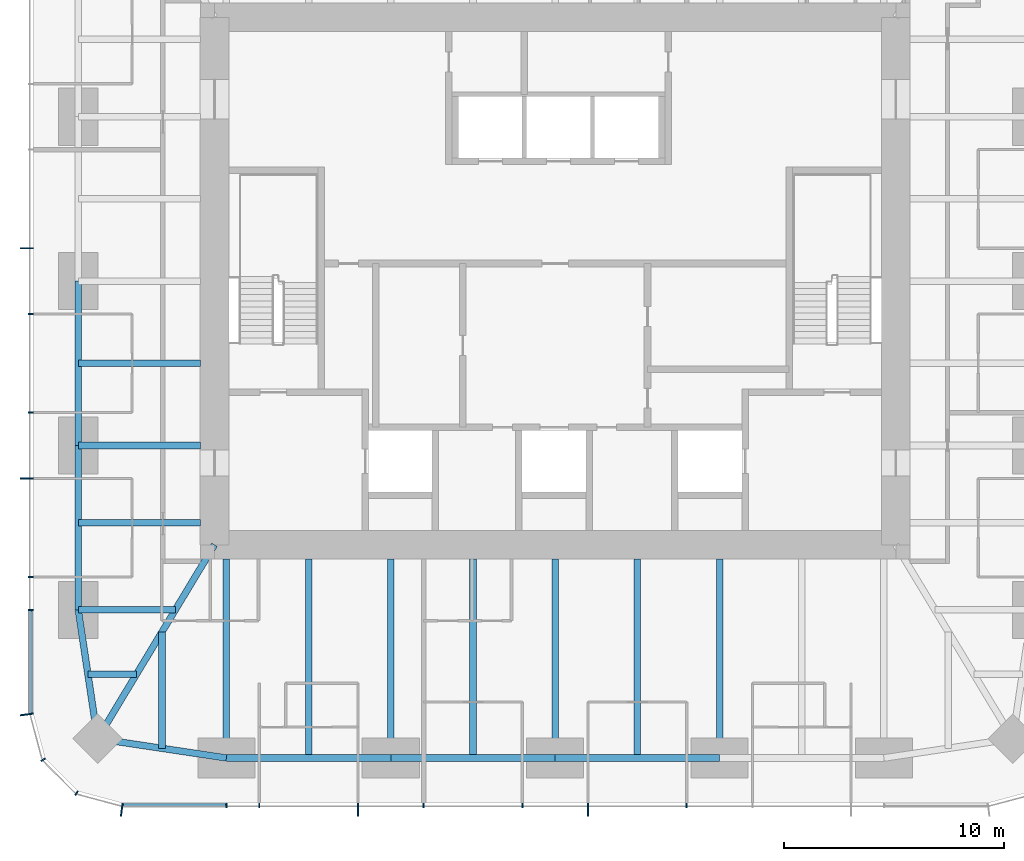
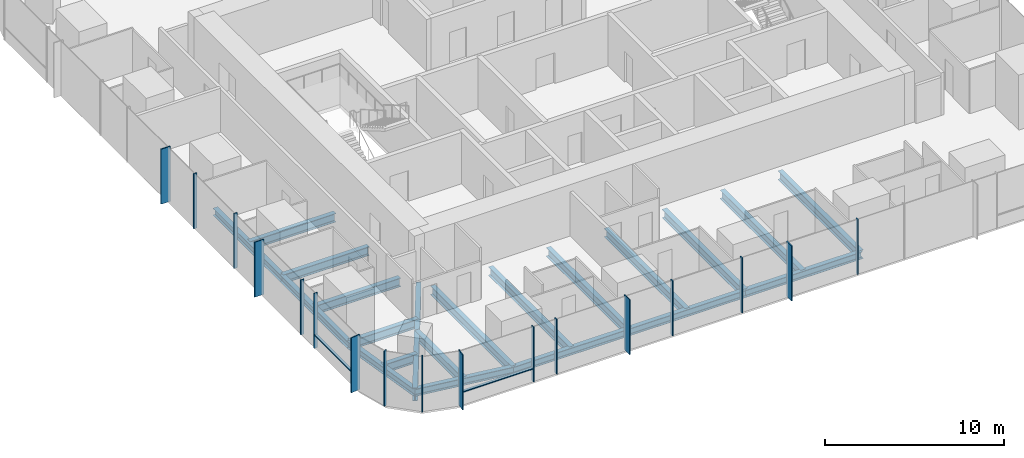
# One storey, part 2 of 12: 21 beams, 19 members, 3 elements without a shape of their own.
"""IFC4 building model written with IfcOpenShell, lengths in metres."""

from ifc_helpers import new_model, si_unit, direction, frame, origin, origin_2d, place, context, subcontext, project, spatial, rectangle, i_section, extrude, material, material_profile, profile_set, type_object, element, aggregate, save


model = new_model("IFC4")

# Units and contexts
model_context = context("Model", 3, precision=1e-05, world=origin(), true_north=direction((0.0, 1.0)))
body_context = subcontext(model_context, "Body", "Model", "MODEL_VIEW")
ifc_project = project(units=[si_unit("LENGTHUNIT", "METRE"), si_unit("AREAUNIT", "SQUARE_METRE"), si_unit("VOLUMEUNIT", "CUBIC_METRE"), si_unit("PLANEANGLEUNIT", "RADIAN"), si_unit("MASSUNIT", "GRAM", prefix="KILO")], contexts=[model_context])

# Site, building, storey
site_placement = place(None, origin())
site = spatial("IfcSite", under=ifc_project, at=site_placement, CompositionType="ELEMENT")
building_placement = place(site_placement, origin())
building = spatial("IfcBuilding", under=site, at=building_placement, Name="Khuree Lantern Residences", CompositionType="ELEMENT")
storey_placement = place(building_placement, frame((0.0, 0.0, 289.5)))
storey = spatial("IfcBuildingStorey", under=building, at=storey_placement, Name="L72", CompositionType="ELEMENT", Elevation=289.5)

# Beams
ifc_material_1 = material(Name="Steel S355", Category="steel")
ifc_material_profile_1 = material_profile(ifc_material_1, i_section(OverallWidth=0.300048828125, OverallDepth=0.590087890625, WebThickness=0.012939453125, FlangeThickness=0.02490234375, FilletRadius=0.027099609375, at=origin_2d()), Name="HE 600 A")
ifc_profile_set_1 = profile_set([ifc_material_profile_1], Name="Steel S355")
beam_type_1 = type_object("IfcBeamType", Name="B-41A SECONDARY BEAM HE 600 A", PredefinedType="BEAM", material=ifc_profile_set_1)
for number, where, z_axis, x_axis, name in (
    (1, (3.739990234375, -21.699951171875, -0.544921875), (0.0, 1.0, 0.0), (-1.0, 0.0, 0.0), "Secondary beam S3"),
    (2, (-3.739990234375, -21.699951171875, -0.544921875), (0.0, 1.0, 0.0), (-1.0, 0.0, 0.0), "Secondary beam S4"),
    (3, (-11.219970703125, -21.699951171875, -0.544921875), (0.0, 1.0, 0.0), (-1.0, 0.0, 0.0), "Secondary beam S5"),
):
    element("IfcBeam", number, at=place(storey_placement, frame(where, z_axis=z_axis, x_axis=x_axis)), inside=storey, type_object=beam_type_1, Name=name, PredefinedType="BEAM", context=body_context, shape_type="SweptSolid", body=[
        extrude(i_section(OverallWidth=0.300048828125, OverallDepth=0.590087890625, WebThickness=0.012939453125, FlangeThickness=0.02490234375, FilletRadius=0.027099609375, at=origin_2d()), origin(), (0.0, 0.0, 1.0), 9.050048828125),
    ])
beam_1_placement = place(storey_placement, frame((-17.890625, -21.2607421875, -0.544921875), z_axis=(0.0, 1.0, 0.0), x_axis=(-1.0, 0.0, 0.0)))
element("IfcBeam", 4, at=beam_1_placement, inside=storey, type_object=beam_type_1, Name="Secondary beam S6", PredefinedType="BEAM", context=body_context, shape_type="SweptSolid", body=[
    extrude(i_section(OverallWidth=0.300048828125, OverallDepth=0.590087890625, WebThickness=0.012939453125, FlangeThickness=0.02490234375, FilletRadius=0.027099609375, at=origin_2d()), origin(), (0.0, 0.0, 1.0), 5.297607421875),
])
beam_2_placement = place(storey_placement, frame((-21.2607421875, -17.890625, -0.544921875), z_axis=(1.0, 0.0, 0.0), x_axis=(0.0, 1.0, 0.0)))
element("IfcBeam", 5, at=beam_2_placement, inside=storey, type_object=beam_type_1, Name="Secondary beam W1", PredefinedType="BEAM", context=body_context, shape_type="SweptSolid", body=[
    extrude(i_section(OverallWidth=0.300048828125, OverallDepth=0.590087890625, WebThickness=0.012939453125, FlangeThickness=0.02490234375, FilletRadius=0.027099609375, at=origin_2d()), origin(), (0.0, 0.0, 1.0), 2.207275390625),
])
for number, where, z_axis, x_axis, name in (
    (6, (-21.699951171875, -11.0, -0.544921875), (1.0, 0.0, 0.0), (0.0, 1.0, 0.0), "Secondary beam W2"),
    (7, (-21.699951171875, -3.739990234375, -0.544921875), (1.0, 0.0, 0.0), (0.0, 1.0, 0.0), "Secondary beam W3"),
):
    element("IfcBeam", number, at=place(storey_placement, frame(where, z_axis=z_axis, x_axis=x_axis)), inside=storey, type_object=beam_type_1, Name=name, PredefinedType="BEAM", context=body_context, shape_type="SweptSolid", body=[
        extrude(i_section(OverallWidth=0.300048828125, OverallDepth=0.590087890625, WebThickness=0.012939453125, FlangeThickness=0.02490234375, FilletRadius=0.027099609375, at=origin_2d()), origin(), (0.0, 0.0, 1.0), 5.550048828125),
    ])
ifc_material_profile_2 = material_profile(ifc_material_1, i_section(OverallWidth=0.300048828125, OverallDepth=0.489990234375, WebThickness=0.011962890625, FlangeThickness=0.02294921875, FilletRadius=0.027099609375, at=origin_2d()), Name="HE 500 A")
ifc_profile_set_2 = profile_set([ifc_material_profile_2], Name="Steel S355")
beam_type_2 = type_object("IfcBeamType", Name="E-41 SPANDREL BEAM HE 500 A", PredefinedType="SPANDREL", material=ifc_profile_set_2)
for number, where, z_axis, x_axis, name in (
    (8, (7.47998046875, -21.699951171875, -0.4951171875), (-1.0, 0.0, 0.0), (0.0, -1.0, 0.0), "Spandrel beam S3"),
    (9, (0.0, -21.699951171875, -0.4951171875), (-1.0, 0.0, 0.0), (0.0, -1.0, 0.0), "Spandrel beam S4"),
    (10, (-7.47998046875, -21.699951171875, -0.4951171875), (-1.0, 0.0, 0.0), (0.0, -1.0, 0.0), "Spandrel beam S5"),
):
    element("IfcBeam", number, at=place(storey_placement, frame(where, z_axis=z_axis, x_axis=x_axis)), inside=storey, type_object=beam_type_2, Name=name, PredefinedType="SPANDREL", context=body_context, shape_type="SweptSolid", body=[
        extrude(i_section(OverallWidth=0.300048828125, OverallDepth=0.489990234375, WebThickness=0.011962890625, FlangeThickness=0.02294921875, FilletRadius=0.027099609375, at=origin_2d()), origin(), (0.0, 0.0, 1.0), 7.47998046875),
    ])
for number, where, z_axis, x_axis, name in (
    (11, (-14.9599609375, -21.699951171875, -0.4951171875), (-0.988949643299, 0.148251822985, 0.0), (-0.148251822985, -0.988949643299, 0.0), "Spandrel beam S6"),
    (12, (-20.8212890625, -20.8212890625, -0.4951171875), (-0.148251822985, 0.988949643299, 0.0), (-0.988949643299, -0.148251822985, 0.0), "Spandrel beam W1"),
):
    element("IfcBeam", number, at=place(storey_placement, frame(where, z_axis=z_axis, x_axis=x_axis)), inside=storey, type_object=beam_type_2, Name=name, PredefinedType="SPANDREL", context=body_context, shape_type="SweptSolid", body=[
        extrude(i_section(OverallWidth=0.300048828125, OverallDepth=0.489990234375, WebThickness=0.011962890625, FlangeThickness=0.02294921875, FilletRadius=0.027099609375, at=origin_2d()), origin(), (0.0, 0.0, 1.0), 5.9267578125),
    ])
for number, where, z_axis, x_axis, name in (
    (13, (-21.699951171875, -14.9599609375, -0.4951171875), (0.0, 1.0, 0.0), (-1.0, 0.0, 0.0), "Spandrel beam W2"),
    (14, (-21.699951171875, -7.47998046875, -0.4951171875), (0.0, 1.0, 0.0), (-1.0, 0.0, 0.0), "Spandrel beam W3"),
):
    element("IfcBeam", number, at=place(storey_placement, frame(where, z_axis=z_axis, x_axis=x_axis)), inside=storey, type_object=beam_type_2, Name=name, PredefinedType="SPANDREL", context=body_context, shape_type="SweptSolid", body=[
        extrude(i_section(OverallWidth=0.300048828125, OverallDepth=0.489990234375, WebThickness=0.011962890625, FlangeThickness=0.02294921875, FilletRadius=0.027099609375, at=origin_2d()), origin(), (0.0, 0.0, 1.0), 7.47998046875),
    ])

# Curtain wall, members
ifc_material_2 = material(Name="Bronze anodised aluminium", Category="aluminium")
curtain_wall_type_1 = type_object("IfcCurtainWallType", Name="CW-T1 TOWER FACE CURTAIN WALL", PredefinedType="USERDEFINED", material=ifc_material_2)
curtain_wall_1_placement = place(storey_placement, origin())
curtain_wall_1 = element("IfcCurtainWall", 15, at=curtain_wall_1_placement, inside=storey, type_object=curtain_wall_type_1, Name="L72 WEST FACE CURTAIN WALL", ObjectType="Stick-built curtain wall", PredefinedType="USERDEFINED")
ifc_material_profile_3 = material_profile(ifc_material_2, rectangle(XDim=0.06494140625, YDim=0.60009765625, at=origin_2d()), Name="F1 65X600")
ifc_profile_set_3 = profile_set([ifc_material_profile_3], Name="Bronze anodised aluminium")
member_type_1 = type_object("IfcMemberType", Name="F1 BRONZE FIN MULLION TOWER 65X600", PredefinedType="MULLION", material=ifc_profile_set_3)
member_1_placement = place(storey_placement, frame((-24.050048828125, 1.49609375, 0.0), z_axis=(0.0, 0.0, 1.0), x_axis=(0.0, -1.0, 0.0)))
member_1 = element("IfcMember", 16, at=member_1_placement, type_object=member_type_1, Name="L72 WEST FACE FIN MULLION 37", PredefinedType="MULLION", context=body_context, shape_type="SweptSolid", body=[
    extrude(rectangle(XDim=0.06494140625, YDim=0.60009765625, at=origin_2d()), origin(), (0.0, 0.0, 1.0), 3.75),
])
member_2_placement = place(storey_placement, frame((-24.050048828125, -8.97607421875, 0.0), z_axis=(0.0, 0.0, 1.0), x_axis=(0.0, -1.0, 0.0)))
member_2 = element("IfcMember", 17, at=member_2_placement, type_object=member_type_1, Name="L72 WEST FACE FIN MULLION 40", PredefinedType="MULLION", context=body_context, shape_type="SweptSolid", body=[
    extrude(rectangle(XDim=0.06494140625, YDim=0.60009765625, at=origin_2d()), origin(), (0.0, 0.0, 1.0), 3.75),
])

# Curtain wall, member
curtain_wall_type_2 = type_object("IfcCurtainWallType", Name="CW-T2 TOWER CORNER CURTAIN WALL", PredefinedType="USERDEFINED", material=ifc_material_2)
curtain_wall_2_placement = place(storey_placement, origin())
curtain_wall_2 = element("IfcCurtainWall", 18, at=curtain_wall_2_placement, inside=storey, type_object=curtain_wall_type_2, Name="L72 SOUTH-WEST CORNER CURTAIN WALL", ObjectType="Faceted corner curtain wall", PredefinedType="USERDEFINED")
member_3_placement = place(storey_placement, frame((-24.050048828125, -19.7197265625, 0.0), z_axis=(0.0, 0.0, 1.0), x_axis=(0.130526125236, -0.991444870192, 0.0)))
member_3 = element("IfcMember", 19, at=member_3_placement, type_object=member_type_1, Name="L72 SOUTH-WEST CORNER FIN MULLION 43", PredefinedType="MULLION", context=body_context, shape_type="SweptSolid", body=[
    extrude(rectangle(XDim=0.06494140625, YDim=0.60009765625, at=origin_2d()), origin(), (0.0, 0.0, 1.0), 3.75),
])

# Curtain wall, members
curtain_wall_3_placement = place(storey_placement, origin())
curtain_wall_3 = element("IfcCurtainWall", 20, at=curtain_wall_3_placement, inside=storey, type_object=curtain_wall_type_1, Name="L72 SOUTH FACE CURTAIN WALL", ObjectType="Stick-built curtain wall", PredefinedType="USERDEFINED")
member_4_placement = place(storey_placement, frame((-19.7197265625, -24.050048828125, 0.0), z_axis=(0.0, 0.0, 1.0), x_axis=(0.991444870192, -0.130526125236, 0.0)))
member_4 = element("IfcMember", 21, at=member_4_placement, type_object=member_type_1, Name="L72 SOUTH FACE FIN MULLION 46", PredefinedType="MULLION", context=body_context, shape_type="SweptSolid", body=[
    extrude(rectangle(XDim=0.06494140625, YDim=0.60009765625, at=origin_2d()), origin(), (0.0, 0.0, 1.0), 3.75),
])
member_5_placement = place(storey_placement, frame((-8.97607421875, -24.050048828125, 0.0), z_axis=(0.0, 0.0, 1.0), x_axis=(1.0, 0.0, 0.0)))
member_5 = element("IfcMember", 22, at=member_5_placement, type_object=member_type_1, Name="L72 SOUTH FACE FIN MULLION 49", PredefinedType="MULLION", context=body_context, shape_type="SweptSolid", body=[
    extrude(rectangle(XDim=0.06494140625, YDim=0.60009765625, at=origin_2d()), origin(), (0.0, 0.0, 1.0), 3.75),
])
member_6_placement = place(storey_placement, frame((1.49609375, -24.050048828125, 0.0), z_axis=(0.0, 0.0, 1.0), x_axis=(1.0, 0.0, 0.0)))
member_6 = element("IfcMember", 23, at=member_6_placement, type_object=member_type_1, Name="L72 SOUTH FACE FIN MULLION 52", PredefinedType="MULLION", context=body_context, shape_type="SweptSolid", body=[
    extrude(rectangle(XDim=0.06494140625, YDim=0.60009765625, at=origin_2d()), origin(), (0.0, 0.0, 1.0), 3.75),
])

# Beams
ifc_material_profile_4 = material_profile(ifc_material_1, i_section(OverallWidth=0.300048828125, OverallDepth=0.60009765625, WebThickness=0.015380859375, FlangeThickness=0.030029296875, FilletRadius=0.027099609375, at=origin_2d()), Name="HE 600 B")
ifc_profile_set_4 = profile_set([ifc_material_profile_4], Name="Steel S355")
beam_type_3 = type_object("IfcBeamType", Name="G-41 GIRDER HE 600 B", PredefinedType="BEAM", material=ifc_profile_set_4)
for number, where, z_axis, x_axis, name in (
    (24, (7.47998046875, -21.699951171875, -0.550048828125), (0.0, 1.0, 0.0), (-1.0, 0.0, 0.0), "Girder S2"),
    (25, (0.0, -21.699951171875, -0.550048828125), (0.0, 1.0, 0.0), (-1.0, 0.0, 0.0), "Girder S3"),
    (26, (-7.47998046875, -21.699951171875, -0.550048828125), (0.0, 1.0, 0.0), (-1.0, 0.0, 0.0), "Girder S4"),
    (27, (-14.9599609375, -21.699951171875, -0.550048828125), (0.0, 1.0, 0.0), (-1.0, 0.0, 0.0), "Girder S5"),
):
    element("IfcBeam", number, at=place(storey_placement, frame(where, z_axis=z_axis, x_axis=x_axis)), inside=storey, type_object=beam_type_3, Name=name, PredefinedType="BEAM", context=body_context, shape_type="SweptSolid", body=[
        extrude(i_section(OverallWidth=0.300048828125, OverallDepth=0.60009765625, WebThickness=0.015380859375, FlangeThickness=0.030029296875, FilletRadius=0.027099609375, at=origin_2d()), origin(), (0.0, 0.0, 1.0), 9.050048828125),
    ])
beam_3_placement = place(storey_placement, frame((-21.699951171875, -14.9599609375, -0.550048828125), z_axis=(1.0, 0.0, 0.0), x_axis=(0.0, 1.0, 0.0)))
element("IfcBeam", 28, at=beam_3_placement, inside=storey, type_object=beam_type_3, Name="Girder W1", PredefinedType="BEAM", context=body_context, shape_type="SweptSolid", body=[
    extrude(i_section(OverallWidth=0.300048828125, OverallDepth=0.60009765625, WebThickness=0.015380859375, FlangeThickness=0.030029296875, FilletRadius=0.027099609375, at=origin_2d()), origin(), (0.0, 0.0, 1.0), 4.414306640625),
])
beam_4_placement = place(storey_placement, frame((-21.699951171875, -7.47998046875, -0.550048828125), z_axis=(1.0, 0.0, 0.0), x_axis=(0.0, 1.0, 0.0)))
element("IfcBeam", 29, at=beam_4_placement, inside=storey, type_object=beam_type_3, Name="Girder W2", PredefinedType="BEAM", context=body_context, shape_type="SweptSolid", body=[
    extrude(i_section(OverallWidth=0.300048828125, OverallDepth=0.60009765625, WebThickness=0.015380859375, FlangeThickness=0.030029296875, FilletRadius=0.027099609375, at=origin_2d()), origin(), (0.0, 0.0, 1.0), 5.550048828125),
])
ifc_material_profile_5 = material_profile(ifc_material_1, i_section(OverallWidth=0.300048828125, OverallDepth=0.89990234375, WebThickness=0.0185546875, FlangeThickness=0.034912109375, FilletRadius=0.030029296875, at=origin_2d()), Name="HE 900 B")
ifc_profile_set_5 = profile_set([ifc_material_profile_5], Name="Steel S355")
beam_type_4 = type_object("IfcBeamType", Name="GD-41 CORNER GIRDER HE 900 B", PredefinedType="BEAM", material=ifc_profile_set_5)
beam_5_placement = place(storey_placement, frame((-20.8212890625, -20.8212890625, -0.699951171875), z_axis=(0.516529577604, 0.856269347495, 0.0), x_axis=(-0.856269347495, 0.516529577604, 0.0)))
element("IfcBeam", 30, at=beam_5_placement, inside=storey, type_object=beam_type_4, Name="Corner girder SW", PredefinedType="BEAM", context=body_context, shape_type="SweptSolid", body=[
    extrude(i_section(OverallWidth=0.300048828125, OverallDepth=0.89990234375, WebThickness=0.0185546875, FlangeThickness=0.034912109375, FilletRadius=0.030029296875, at=origin_2d()), origin(), (0.0, 0.0, 1.0), 10.302001953125),
])

# Member
ifc_material_profile_6 = material_profile(ifc_material_2, rectangle(XDim=0.06494140625, YDim=0.219970703125, at=origin_2d()), Name="M1 65X220")
ifc_profile_set_6 = profile_set([ifc_material_profile_6], Name="Bronze anodised aluminium")
member_type_2 = type_object("IfcMemberType", Name="M1 BRONZE MULLION TOWER 65X220", PredefinedType="MULLION", material=ifc_profile_set_6)
member_7_placement = place(storey_placement, frame((-23.860107421875, -1.49609375, 0.0), z_axis=(0.0, 0.0, 1.0), x_axis=(0.0, -1.0, 0.0)))
member_7 = element("IfcMember", 31, at=member_7_placement, type_object=member_type_2, Name="L72 WEST FACE MULLION 38", PredefinedType="MULLION", context=body_context, shape_type="SweptSolid", body=[
    extrude(rectangle(XDim=0.06494140625, YDim=0.219970703125, at=origin_2d()), origin(), (0.0, 0.0, 1.0), 3.75),
])

member_8_placement = place(storey_placement, frame((-23.860107421875, -5.98388671875, 0.0), z_axis=(0.0, 0.0, 1.0), x_axis=(0.0, -1.0, 0.0)))
member_8 = element("IfcMember", 32, at=member_8_placement, type_object=member_type_2, Name="L72 WEST FACE MULLION 39", PredefinedType="MULLION", context=body_context, shape_type="SweptSolid", body=[
    extrude(rectangle(XDim=0.06494140625, YDim=0.219970703125, at=origin_2d()), origin(), (0.0, 0.0, 1.0), 3.75),
])

member_9_placement = place(storey_placement, frame((-23.860107421875, -13.464111328125, 0.0), z_axis=(0.0, 0.0, 1.0), x_axis=(0.0, -1.0, 0.0)))
member_9 = element("IfcMember", 33, at=member_9_placement, type_object=member_type_2, Name="L72 WEST FACE MULLION 41", PredefinedType="MULLION", context=body_context, shape_type="SweptSolid", body=[
    extrude(rectangle(XDim=0.06494140625, YDim=0.219970703125, at=origin_2d()), origin(), (0.0, 0.0, 1.0), 3.75),
])

member_10_placement = place(storey_placement, frame((-23.860107421875, -14.9599609375, 0.0), z_axis=(0.0, 0.0, 1.0), x_axis=(0.0, -1.0, 0.0)))
member_10 = element("IfcMember", 34, at=member_10_placement, type_object=member_type_2, Name="L72 WEST FACE MULLION 42", PredefinedType="MULLION", context=body_context, shape_type="SweptSolid", body=[
    extrude(rectangle(XDim=0.06494140625, YDim=0.219970703125, at=origin_2d()), origin(), (0.0, 0.0, 1.0), 3.75),
])

member_11_placement = place(storey_placement, frame((-23.302734375, -21.780029296875, 0.0), z_axis=(0.0, 0.0, 1.0), x_axis=(0.49999994149, -0.866025437565, 0.0)))
member_11 = element("IfcMember", 35, at=member_11_placement, type_object=member_type_2, Name="L72 SOUTH-WEST CORNER MULLION 44", PredefinedType="MULLION", context=body_context, shape_type="SweptSolid", body=[
    extrude(rectangle(XDim=0.06494140625, YDim=0.219970703125, at=origin_2d()), origin(), (0.0, 0.0, 1.0), 3.75),
])

member_12_placement = place(storey_placement, frame((-21.780029296875, -23.302734375, 0.0), z_axis=(0.0, 0.0, 1.0), x_axis=(0.866025437565, -0.49999994149, 0.0)))
member_12 = element("IfcMember", 36, at=member_12_placement, type_object=member_type_2, Name="L72 SOUTH-WEST CORNER MULLION 45", PredefinedType="MULLION", context=body_context, shape_type="SweptSolid", body=[
    extrude(rectangle(XDim=0.06494140625, YDim=0.219970703125, at=origin_2d()), origin(), (0.0, 0.0, 1.0), 3.75),
])

aggregate(curtain_wall_2, [member_3, member_11, member_12])

member_13_placement = place(storey_placement, frame((-14.9599609375, -23.860107421875, 0.0), z_axis=(0.0, 0.0, 1.0), x_axis=(1.0, 0.0, 0.0)))
member_13 = element("IfcMember", 37, at=member_13_placement, type_object=member_type_2, Name="L72 SOUTH FACE MULLION 47", PredefinedType="MULLION", context=body_context, shape_type="SweptSolid", body=[
    extrude(rectangle(XDim=0.06494140625, YDim=0.219970703125, at=origin_2d()), origin(), (0.0, 0.0, 1.0), 3.75),
])

member_14_placement = place(storey_placement, frame((-13.464111328125, -23.860107421875, 0.0), z_axis=(0.0, 0.0, 1.0), x_axis=(1.0, 0.0, 0.0)))
member_14 = element("IfcMember", 38, at=member_14_placement, type_object=member_type_2, Name="L72 SOUTH FACE MULLION 48", PredefinedType="MULLION", context=body_context, shape_type="SweptSolid", body=[
    extrude(rectangle(XDim=0.06494140625, YDim=0.219970703125, at=origin_2d()), origin(), (0.0, 0.0, 1.0), 3.75),
])

member_15_placement = place(storey_placement, frame((-5.98388671875, -23.860107421875, 0.0), z_axis=(0.0, 0.0, 1.0), x_axis=(1.0, 0.0, 0.0)))
member_15 = element("IfcMember", 39, at=member_15_placement, type_object=member_type_2, Name="L72 SOUTH FACE MULLION 50", PredefinedType="MULLION", context=body_context, shape_type="SweptSolid", body=[
    extrude(rectangle(XDim=0.06494140625, YDim=0.219970703125, at=origin_2d()), origin(), (0.0, 0.0, 1.0), 3.75),
])

member_16_placement = place(storey_placement, frame((-1.49609375, -23.860107421875, 0.0), z_axis=(0.0, 0.0, 1.0), x_axis=(1.0, 0.0, 0.0)))
member_16 = element("IfcMember", 40, at=member_16_placement, type_object=member_type_2, Name="L72 SOUTH FACE MULLION 51", PredefinedType="MULLION", context=body_context, shape_type="SweptSolid", body=[
    extrude(rectangle(XDim=0.06494140625, YDim=0.219970703125, at=origin_2d()), origin(), (0.0, 0.0, 1.0), 3.75),
])

member_17_placement = place(storey_placement, frame((5.98388671875, -23.860107421875, 0.0), z_axis=(0.0, 0.0, 1.0), x_axis=(1.0, 0.0, 0.0)))
member_17 = element("IfcMember", 41, at=member_17_placement, type_object=member_type_2, Name="L72 SOUTH FACE MULLION 53", PredefinedType="MULLION", context=body_context, shape_type="SweptSolid", body=[
    extrude(rectangle(XDim=0.06494140625, YDim=0.219970703125, at=origin_2d()), origin(), (0.0, 0.0, 1.0), 3.75),
])

ifc_material_profile_7 = material_profile(ifc_material_2, rectangle(XDim=0.179931640625, YDim=0.06494140625, at=origin_2d()), Name="T1 180X65")
ifc_profile_set_7 = profile_set([ifc_material_profile_7], Name="Bronze anodised aluminium")
member_type_3 = type_object("IfcMemberType", Name="TRANSOM T1 TOWER 180X65", PredefinedType="USERDEFINED", material=ifc_profile_set_7)
member_18_placement = place(storey_placement, frame((-23.8701171875, -14.992431640625, 0.89990234375), z_axis=(0.0, -1.0, 0.0), x_axis=(1.0, 0.0, 0.0)))
member_18 = element("IfcMember", 42, at=member_18_placement, type_object=member_type_3, Name="L72 WEST FACE TRANSOM 42.1", ObjectType="Transom", PredefinedType="USERDEFINED", context=body_context, shape_type="SweptSolid", body=[
    extrude(rectangle(XDim=0.179931640625, YDim=0.06494140625, at=origin_2d()), origin(), (0.0, 0.0, 1.0), 4.658935546875),
])

aggregate(curtain_wall_1, [member_1, member_7, member_8, member_2, member_9, member_10, member_18])

member_19_placement = place(storey_placement, frame((-19.6513671875, -23.8701171875, 0.89990234375), z_axis=(1.0, 0.0, 0.0), x_axis=(0.0, 1.0, 0.0)))
member_19 = element("IfcMember", 43, at=member_19_placement, type_object=member_type_3, Name="L72 SOUTH FACE TRANSOM 46.1", ObjectType="Transom", PredefinedType="USERDEFINED", context=body_context, shape_type="SweptSolid", body=[
    extrude(rectangle(XDim=0.179931640625, YDim=0.06494140625, at=origin_2d()), origin(), (0.0, 0.0, 1.0), 4.658935546875),
])

aggregate(curtain_wall_3, [member_4, member_13, member_14, member_5, member_15, member_16, member_6, member_17, member_19])

save(model, "model.ifc")
